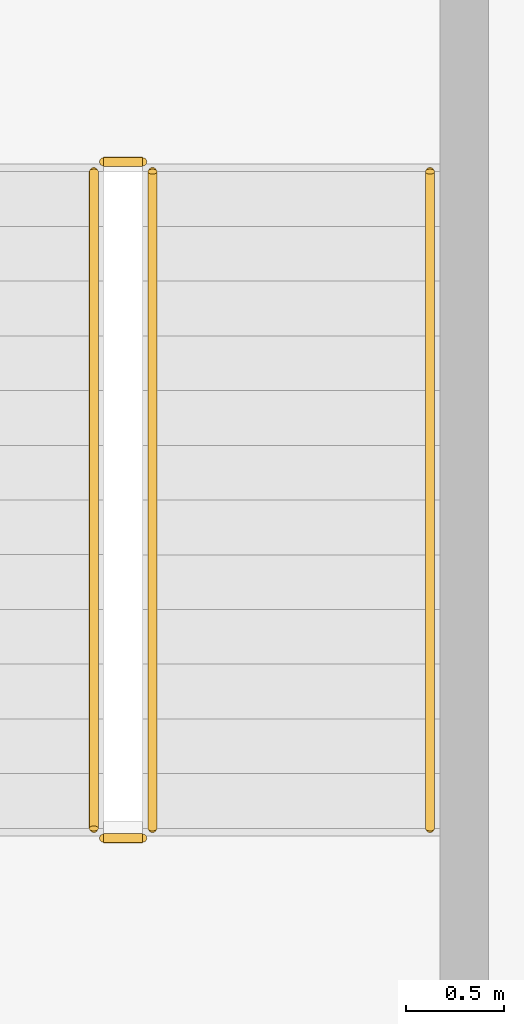
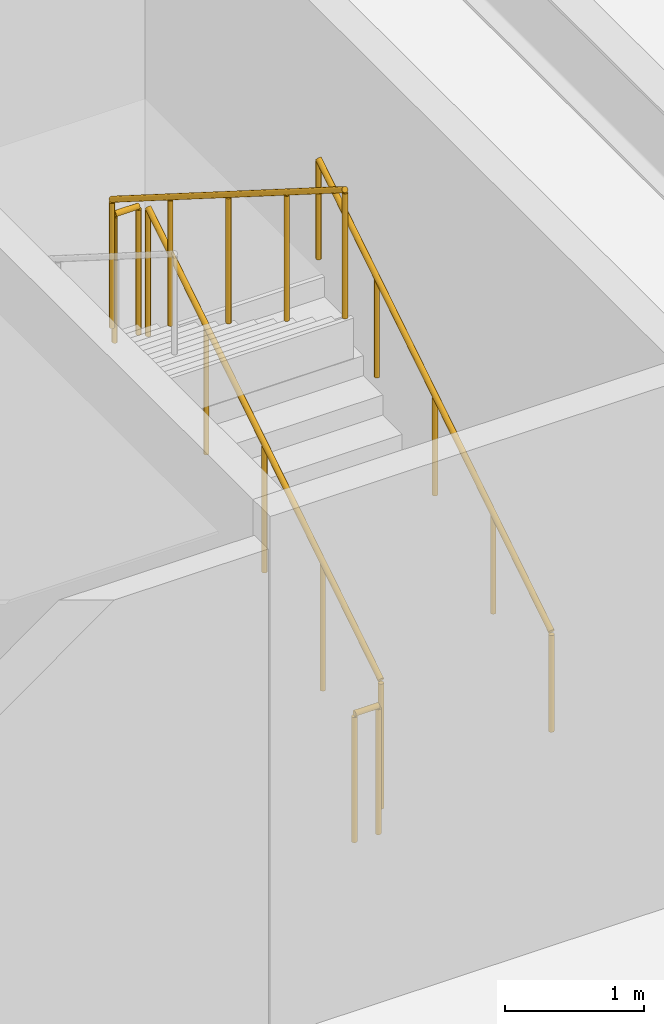
# One storey, part 44 of 45: 5 railings.
"""IFC4 building model written with IfcOpenShell, lengths in metres."""

from ifc_helpers import new_model, si_unit, direction, frame, origin, origin_2d, place, context, subcontext, project, spatial, circle, extrude, material, type_object, element, save


model = new_model("IFC4")

# Units and contexts
model_context = context("Model", 3, precision=1e-05, world=origin(), true_north=direction((0.0, 1.0)))
body_context = subcontext(model_context, "Body", "Model", "MODEL_VIEW")
ifc_project = project(units=[si_unit("LENGTHUNIT", "METRE"), si_unit("AREAUNIT", "SQUARE_METRE"), si_unit("VOLUMEUNIT", "CUBIC_METRE"), si_unit("PLANEANGLEUNIT", "RADIAN"), si_unit("MASSUNIT", "GRAM", prefix="KILO")], contexts=[model_context])

# Site, building, storey
site_placement = place(None, origin())
site = spatial("IfcSite", under=ifc_project, at=site_placement, CompositionType="ELEMENT")
building_placement = place(site_placement, origin())
building = spatial("IfcBuilding", under=site, at=building_placement, Name="Korimba Cascade Residences", CompositionType="ELEMENT")
storey_placement = place(building_placement, frame((0.0, 0.0, 5.39990234375)))
storey = spatial("IfcBuildingStorey", under=building, at=storey_placement, Name="L01", CompositionType="ELEMENT", Elevation=5.39990234375)

# Railings
ifc_material_1 = material(Name="Painted Steel Stairwell Guardrail", Category="steel")
railing_type_1 = type_object("IfcRailingType", Name="RLG-ST-GD1150", PredefinedType="GUARDRAIL", material=ifc_material_1)
railing_1_placement = place(storey_placement, frame((136.27001953125, 83.64990234375, 0.177001953125)))
element("IfcRailing", 1, at=railing_1_placement, inside=storey, type_object=railing_type_1, Name="L01 ST-P4 stair guard 1", PredefinedType="GUARDRAIL", context=body_context, shape_type="SweptSolid", body=[
    extrude(circle(Radius=0.02392578125, at=origin_2d()), frame((0.0, 0.0, 1.1259765625), z_axis=(0.0, 0.845389635667, 0.534150132366), x_axis=(-1.0, 0.0, 0.0)), (0.0, 0.0, 1.0), 3.974609375),
    extrude(circle(Radius=0.02099609375, at=origin_2d()), origin(), (0.0, 0.0, 1.0), 1.101806640625),
    extrude(circle(Radius=0.02099609375, at=origin_2d()), frame((0.0, 0.840087890625, 0.53076171875)), (0.0, 0.0, 1.0), 1.101806640625),
    extrude(circle(Radius=0.02099609375, at=origin_2d()), frame((0.0, 1.68017578125, 1.0615234375)), (0.0, 0.0, 1.0), 1.101806640625),
    extrude(circle(Radius=0.02099609375, at=origin_2d()), frame((0.0, 2.52001953125, 1.59228515625)), (0.0, 0.0, 1.0), 1.101806640625),
    extrude(circle(Radius=0.02099609375, at=origin_2d()), frame((0.0, 3.360107421875, 2.123046875)), (0.0, 0.0, 1.0), 1.101806640625),
])
railing_2_placement = place(storey_placement, frame((136.219970703125, 87.06005859375, 2.300048828125)))
element("IfcRailing", 2, at=railing_2_placement, inside=storey, type_object=railing_type_1, Name="L01 ST-P4 stair guard 2", PredefinedType="GUARDRAIL", context=body_context, shape_type="SweptSolid", body=[
    extrude(circle(Radius=0.02392578125, at=origin_2d()), frame((0.0, 0.0, 1.1259765625), z_axis=(-1.0, 0.0, 0.0), x_axis=(0.0, -1.0, 0.0)), (0.0, 0.0, 1.0), 0.199951171875),
    extrude(circle(Radius=0.02099609375, at=origin_2d()), origin(), (0.0, 0.0, 1.0), 1.101806640625),
    extrude(circle(Radius=0.02099609375, at=origin_2d()), frame((-0.199951171875, 0.0, 0.0)), (0.0, 0.0, 1.0), 1.101806640625),
])
railing_3_placement = place(storey_placement, frame((135.969970703125, 87.010009765625, 2.47705078125)))
element("IfcRailing", 3, at=railing_3_placement, inside=storey, type_object=railing_type_1, Name="L01 ST-P4 stair guard 3", PredefinedType="GUARDRAIL", context=body_context, shape_type="SweptSolid", body=[
    extrude(circle(Radius=0.02392578125, at=origin_2d()), frame((0.0, 0.0, 1.1259765625), z_axis=(0.0, -0.845389635667, 0.534150132366), x_axis=(1.0, 0.0, 0.0)), (0.0, 0.0, 1.0), 3.974609375),
    extrude(circle(Radius=0.02099609375, at=origin_2d()), origin(), (0.0, 0.0, 1.0), 1.101806640625),
    extrude(circle(Radius=0.02099609375, at=origin_2d()), frame((0.0, -0.840087890625, 0.53076171875)), (0.0, 0.0, 1.0), 1.101806640625),
    extrude(circle(Radius=0.02099609375, at=origin_2d()), frame((0.0, -1.68017578125, 1.0615234375)), (0.0, 0.0, 1.0), 1.101806640625),
    extrude(circle(Radius=0.02099609375, at=origin_2d()), frame((0.0, -2.52001953125, 1.59228515625)), (0.0, 0.0, 1.0), 1.101806640625),
    extrude(circle(Radius=0.02099609375, at=origin_2d()), frame((0.0, -3.360107421875, 2.123046875)), (0.0, 0.0, 1.0), 1.101806640625),
])
railing_4_placement = place(storey_placement, frame((136.219970703125, 83.60009765625, 0.0)))
element("IfcRailing", 4, at=railing_4_placement, inside=storey, type_object=railing_type_1, Name="L01 ST-P4 stair guard 4", PredefinedType="GUARDRAIL", context=body_context, shape_type="SweptSolid", body=[
    extrude(circle(Radius=0.02392578125, at=origin_2d()), frame((0.0, 0.0, 1.1259765625), z_axis=(-1.0, 0.0, 0.0), x_axis=(0.0, -1.0, 0.0)), (0.0, 0.0, 1.0), 0.199951171875),
    extrude(circle(Radius=0.02099609375, at=origin_2d()), origin(), (0.0, 0.0, 1.0), 1.101806640625),
    extrude(circle(Radius=0.02099609375, at=origin_2d()), frame((-0.199951171875, 0.0, 0.0)), (0.0, 0.0, 1.0), 1.101806640625),
])
ifc_material_2 = material(Name="Brushed Stainless Steel Handrail", Category="steel")
railing_type_2 = type_object("IfcRailingType", Name="RLG-ST-HR900", PredefinedType="HANDRAIL", material=ifc_material_2)
railing_5_placement = place(storey_placement, frame((137.68994140625, 83.64990234375, 0.357666015625)))
element("IfcRailing", 5, at=railing_5_placement, inside=storey, type_object=railing_type_2, Name="L01 ST-P4 stair handrail 1", PredefinedType="HANDRAIL", context=body_context, shape_type="SweptSolid", body=[
    extrude(circle(Radius=0.02392578125, at=origin_2d()), frame((0.0, 0.0, 0.8759765625), z_axis=(0.0, 0.845389635667, 0.534150132366), x_axis=(-1.0, 0.0, 0.0)), (0.0, 0.0, 1.0), 3.974609375),
    extrude(circle(Radius=0.02099609375, at=origin_2d()), origin(), (0.0, 0.0, 1.0), 0.851806640625),
    extrude(circle(Radius=0.02099609375, at=origin_2d()), frame((0.0, 0.840087890625, 0.53076171875)), (0.0, 0.0, 1.0), 0.851806640625),
    extrude(circle(Radius=0.02099609375, at=origin_2d()), frame((0.0, 1.68017578125, 1.0615234375)), (0.0, 0.0, 1.0), 0.851806640625),
    extrude(circle(Radius=0.02099609375, at=origin_2d()), frame((0.0, 2.52001953125, 1.59228515625)), (0.0, 0.0, 1.0), 0.851806640625),
    extrude(circle(Radius=0.02099609375, at=origin_2d()), frame((0.0, 3.360107421875, 2.123046875)), (0.0, 0.0, 1.0), 0.851806640625),
])

save(model, "model.ifc")
